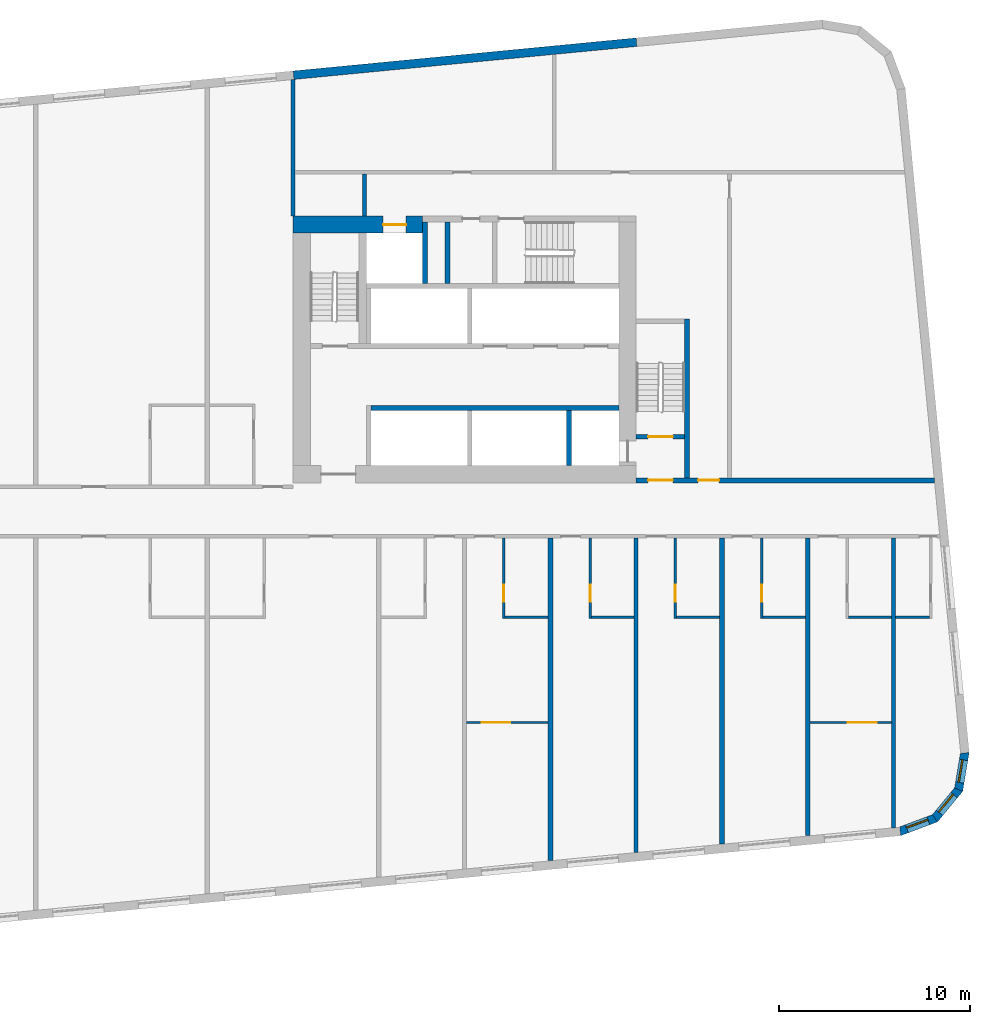
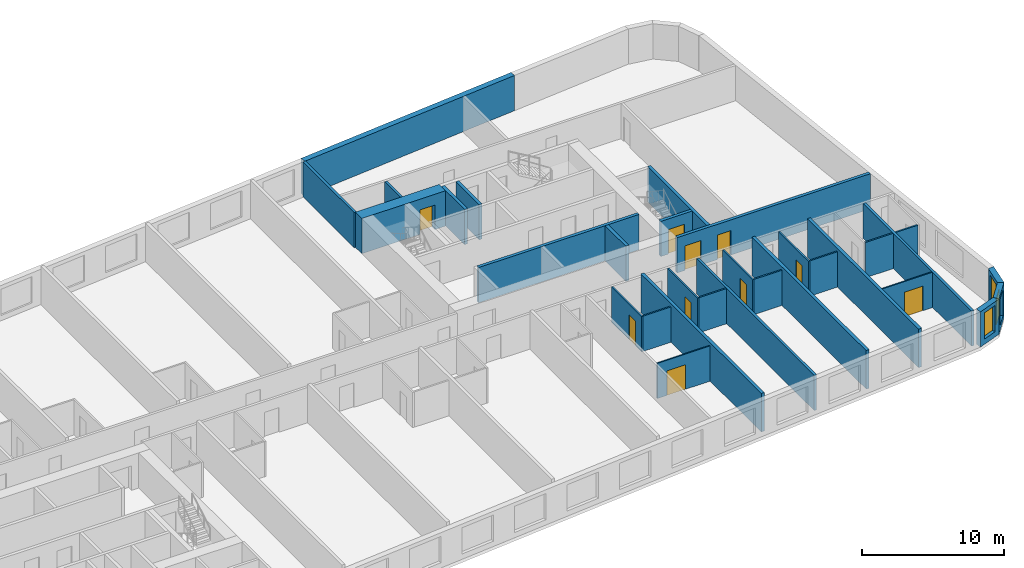
# One storey, part 7 of 12: 31 walls, 10 doors, 3 windows, 13 openings.
"""IFC4 building model written with IfcOpenShell, lengths in metres."""

from ifc_helpers import new_model, si_unit, direction, frame, frame_2d, origin, place, context, subcontext, project, spatial, polyline, rectangle, outline, extrude, material, layer, layer_set, type_object, element, fill, save


model = new_model("IFC4")

# Units and contexts
model_context = context("Model", 3, precision=1e-05, world=origin(), true_north=direction((0.0, 1.0)))
body_context = subcontext(model_context, "Body", "Model", "MODEL_VIEW")
ifc_project = project(units=[si_unit("LENGTHUNIT", "METRE"), si_unit("AREAUNIT", "SQUARE_METRE"), si_unit("VOLUMEUNIT", "CUBIC_METRE"), si_unit("PLANEANGLEUNIT", "RADIAN"), si_unit("MASSUNIT", "GRAM", prefix="KILO")], contexts=[model_context])

# Site, building, storey
site_placement = place(None, origin())
site = spatial("IfcSite", under=ifc_project, at=site_placement, CompositionType="ELEMENT")
building_placement = place(site_placement, origin())
building = spatial("IfcBuilding", under=site, at=building_placement, Name="Kajstack Hotel Tower", CompositionType="ELEMENT")
storey_placement = place(building_placement, frame((0.0, 0.0, 124.0)))
storey = spatial("IfcBuildingStorey", under=building, at=storey_placement, Name="L27", CompositionType="ELEMENT", Elevation=124.0)

# Wall, opening, door
ifc_material_1 = material(Name="Concrete C60/75", Category="concrete")
ifc_layer_1 = layer(ifc_material_1, 0.89990234375)
ifc_layer_set_1 = layer_set([ifc_layer_1], Name="Core wall 900")
wall_type_1 = type_object("IfcWallType", Name="Core wall 900", PredefinedType="SHEAR", material=ifc_layer_set_1)
wall_1_placement = place(storey_placement, frame((13.5, 15.050048828125, 0.0), z_axis=(0.0, 0.0, 1.0), x_axis=(1.0, 0.0, 0.0)))
wall_1 = element("IfcWall", 1, at=wall_1_placement, inside=storey, type_object=wall_type_1, Name="Core wall E RS", PredefinedType="SHEAR", context=body_context, shape_type="SweptSolid", body=[
    extrude(rectangle(XDim=6.800048828125, YDim=0.89990234375, at=frame_2d((3.39990234375, 0.0))), origin(), (0.0, 0.0, 1.0), 3.02001953125),
])
opening_1_placement = place(wall_1_placement, frame((4.72509765625, 0.0, 0.0)))
opening_1 = element("IfcOpeningElement", 2, at=opening_1_placement, cuts=wall_1, Name="Opening LD-SV2", PredefinedType="OPENING", context=body_context, shape_type="SweptSolid", body=[
    extrude(rectangle(XDim=1.199951171875, YDim=2.10009765625, at=frame_2d((0.60009765625, 1.050048828125))), frame((0.0, 0.4599609375, 0.0), z_axis=(0.0, -1.0, 0.0), x_axis=(1.0, 0.0, 0.0)), (0.0, 0.0, 1.0), 0.919921875),
])
ifc_material_2 = material(Name="Stainless steel", Category="steel")
door_type_1 = type_object("IfcDoorType", Name="Lift landing door 1200", OperationType="SLIDING_TO_LEFT", PredefinedType="DOOR", material=ifc_material_2)
door_1_placement = place(opening_1_placement, origin())
door_1 = element("IfcDoor", 3, at=door_1_placement, inside=storey, type_object=door_type_1, Name="Landing door SV2", OperationType="SLIDING_TO_LEFT", OverallHeight=2.10009765625, OverallWidth=1.199951171875, PredefinedType="DOOR", context=body_context, shape_type="SweptSolid", body=[
    extrude(rectangle(XDim=1.199951171875, YDim=2.10009765625, at=frame_2d((0.60009765625, 1.050048828125))), frame((0.0, 0.02490234375, 0.0), z_axis=(0.0, -1.0, 0.0), x_axis=(1.0, 0.0, 0.0)), (0.0, 0.0, 1.0), 0.050048828125),
])
fill(opening_1, door_1)

# Walls
ifc_material_3 = material(Name="Twin-frame gypsum board on steel studs, mineral wool", Category="steel")
ifc_layer_2 = layer(ifc_material_3, 0.199951171875)
ifc_layer_set_2 = layer_set([ifc_layer_2], Name="Demising wall 200")
wall_type_2 = type_object("IfcWallType", Name="Demising wall 200", PredefinedType="PARTITIONING", material=ifc_layer_set_2)
wall_2_placement = place(storey_placement, frame((13.5, 15.5, 0.0), z_axis=(0.0, 0.0, 1.0), x_axis=(0.0, 1.0, 0.0)))
element("IfcWall", 4, at=wall_2_placement, inside=storey, type_object=wall_type_2, Name="G-wall-L27-001", PredefinedType="PARTITIONING", context=body_context, shape_type="SweptSolid", body=[
    extrude(rectangle(XDim=7.162109375, YDim=0.199951171875, at=frame_2d((3.5810546875, 0.0))), origin(), (0.0, 0.0, 1.0), 3.02001953125),
])
wall_3_placement = place(storey_placement, frame((31.5, -17.89892578125, 0.0), z_axis=(0.0, 0.0, 1.0), x_axis=(0.0, 1.0, 0.0)))
element("IfcWall", 5, at=wall_3_placement, inside=storey, type_object=wall_type_2, Name="G-wall-L27-041", PredefinedType="PARTITIONING", context=body_context, shape_type="SweptSolid", body=[
    extrude(rectangle(XDim=16.4990234375, YDim=0.199951171875, at=frame_2d((8.24951171875, 0.0))), origin(), (0.0, 0.0, 1.0), 3.02001953125),
])
wall_4_placement = place(storey_placement, frame((45.0, -16.59912109375, 0.0), z_axis=(0.0, 0.0, 1.0), x_axis=(0.0, 1.0, 0.0)))
element("IfcWall", 6, at=wall_4_placement, inside=storey, type_object=wall_type_2, Name="G-wall-L27-048", PredefinedType="PARTITIONING", context=body_context, shape_type="SweptSolid", body=[
    extrude(rectangle(XDim=15.19921875, YDim=0.199951171875, at=frame_2d((7.599609375, 0.0))), origin(), (0.0, 0.0, 1.0), 3.02001953125),
])
ifc_material_4 = material(Name="Concrete C40/50", Category="concrete")
ifc_layer_3 = layer(ifc_material_4, 0.449951171875)
ifc_layer_set_3 = layer_set([ifc_layer_3], Name="EW-CORE")
wall_type_3 = type_object("IfcWallType", Name="EW-CORE", PredefinedType="SOLIDWALL", material=ifc_layer_set_3)
wall_5_placement = place(storey_placement, frame((31.521484375, 24.623291015625, 0.0), z_axis=(0.0, 0.0, 1.0), x_axis=(-0.995396454615, -0.095843091245, 0.0)))
element("IfcWall", 7, at=wall_5_placement, inside=storey, type_object=wall_type_3, Name="E-wall-L27-12-01", PredefinedType="SOLIDWALL", context=body_context, shape_type="SweptSolid", body=[
    extrude(rectangle(XDim=18.083251953125, YDim=0.449951171875, at=frame_2d((9.04150390625, 0.0))), origin(), (0.0, 0.0, 1.0), 3.02001953125),
])

# Wall, opening, window
ifc_material_5 = material(Name="Terracotta-faced brick masonry", Category="masonry")
ifc_layer_4 = layer(ifc_material_5, 0.449951171875)
ifc_layer_set_4 = layer_set([ifc_layer_4], Name="EW-TERRA")
wall_type_4 = type_object("IfcWallType", Name="EW-TERRA", PredefinedType="SOLIDWALL", material=ifc_layer_set_4)
wall_6_placement = place(storey_placement, frame((45.300048828125, -16.804443359375, 0.0), z_axis=(0.0, 0.0, 1.0), x_axis=(0.936677599948, 0.350192909346, 0.0)))
wall_6 = element("IfcWall", 8, at=wall_6_placement, inside=storey, type_object=wall_type_4, Name="E-wall-L27-05-00", PredefinedType="SOLIDWALL", context=body_context, shape_type="SweptSolid", body=[
    extrude(outline(polyline([(0.0, -0.224853515625), (2.070556640625, -0.224853515625), (1.949951171875, 0.22509765625), (0.12060546875, 0.22509765625), (0.0, -0.224853515625)])), origin(), (0.0, 0.0, 1.0), 3.02001953125),
])
opening_2_placement = place(wall_6_placement, frame((0.435302734375, 0.0, 0.449951171875)))
opening_2 = element("IfcOpeningElement", 9, at=opening_2_placement, cuts=wall_6, Name="Opening W3", PredefinedType="OPENING", context=body_context, shape_type="SweptSolid", body=[
    extrude(rectangle(XDim=1.199951171875, YDim=2.25, at=frame_2d((0.60009765625, 1.125))), frame((0.0, 0.23486328125, 0.0), z_axis=(0.0, -1.0, 0.0), x_axis=(1.0, 0.0, 0.0)), (0.0, 0.0, 1.0), 0.469970703125),
])
ifc_material_6 = material(Name="Timber-aluminium window, triple glazed", Category="wood")
window_type = type_object("IfcWindowType", Name="WG3", PartitioningType="SINGLE_PANEL", PredefinedType="WINDOW", material=ifc_material_6)
window_1_placement = place(opening_2_placement, origin())
window_1 = element("IfcWindow", 10, at=window_1_placement, inside=storey, type_object=window_type, Name="Window W3 L27-05", OverallHeight=2.25, OverallWidth=1.199951171875, PartitioningType="SINGLE_PANEL", PredefinedType="WINDOW", context=body_context, shape_type="SweptSolid", body=[
    extrude(rectangle(XDim=1.199951171875, YDim=2.25, at=frame_2d((0.60009765625, 1.125))), frame((0.0, 0.090087890625, 0.0), z_axis=(0.0, -1.0, 0.0), x_axis=(1.0, 0.0, 0.0)), (0.0, 0.0, 1.0), 0.06005859375),
])
fill(opening_2, window_1)

wall_7_placement = place(storey_placement, frame((47.144775390625, -16.14697265625, 0.0), z_axis=(0.0, 0.0, 1.0), x_axis=(0.635988241739, 0.771698747161, 0.0)))
wall_7 = element("IfcWall", 11, at=wall_7_placement, inside=storey, type_object=wall_type_4, Name="E-wall-L27-06-00", PredefinedType="SOLIDWALL", context=body_context, shape_type="SweptSolid", body=[
    extrude(outline(polyline([(0.0, -0.224853515625), (2.070556640625, -0.22509765625), (1.949951171875, 0.224853515625), (0.12060546875, 0.22509765625), (0.0, -0.224853515625)])), origin(), (0.0, 0.0, 1.0), 3.02001953125),
])
opening_3_placement = place(wall_7_placement, frame((0.435302734375, 0.0, 0.449951171875)))
opening_3 = element("IfcOpeningElement", 12, at=opening_3_placement, cuts=wall_7, Name="Opening W3", PredefinedType="OPENING", context=body_context, shape_type="SweptSolid", body=[
    extrude(rectangle(XDim=1.199951171875, YDim=2.25, at=frame_2d((0.60009765625, 1.125))), frame((0.0, 0.23486328125, 0.0), z_axis=(0.0, -1.0, 0.0), x_axis=(1.0, 0.0, 0.0)), (0.0, 0.0, 1.0), 0.469970703125),
])
window_2_placement = place(opening_3_placement, origin())
window_2 = element("IfcWindow", 13, at=window_2_placement, inside=storey, type_object=window_type, Name="Window W3 L27-06", OverallHeight=2.25, OverallWidth=1.199951171875, PartitioningType="SINGLE_PANEL", PredefinedType="WINDOW", context=body_context, shape_type="SweptSolid", body=[
    extrude(rectangle(XDim=1.199951171875, YDim=2.25, at=frame_2d((0.60009765625, 1.125))), frame((0.0, 0.090087890625, 0.0), z_axis=(0.0, -1.0, 0.0), x_axis=(1.0, 0.0, 0.0)), (0.0, 0.0, 1.0), 0.06005859375),
])
fill(opening_3, window_2)

wall_8_placement = place(storey_placement, frame((48.413330078125, -14.6552734375, 0.0), z_axis=(0.0, 0.0, 1.0), x_axis=(0.165068144653, 0.986282164302, 0.0)))
wall_8 = element("IfcWall", 14, at=wall_8_placement, inside=storey, type_object=wall_type_4, Name="E-wall-L27-07-00", PredefinedType="SOLIDWALL", context=body_context, shape_type="SweptSolid", body=[
    extrude(outline(polyline([(0.0, -0.22509765625), (2.07080078125, -0.224853515625), (1.9501953125, 0.22509765625), (0.12060546875, 0.224853515625), (0.0, -0.22509765625)])), origin(), (0.0, 0.0, 1.0), 3.02001953125),
])
opening_4_placement = place(wall_8_placement, frame((0.435302734375, 0.0, 0.449951171875)))
opening_4 = element("IfcOpeningElement", 15, at=opening_4_placement, cuts=wall_8, Name="Opening W3", PredefinedType="OPENING", context=body_context, shape_type="SweptSolid", body=[
    extrude(rectangle(XDim=1.199951171875, YDim=2.25, at=frame_2d((0.60009765625, 1.125))), frame((0.0, 0.23486328125, 0.0), z_axis=(0.0, -1.0, 0.0), x_axis=(1.0, 0.0, 0.0)), (0.0, 0.0, 1.0), 0.469970703125),
])
window_3_placement = place(opening_4_placement, origin())
window_3 = element("IfcWindow", 16, at=window_3_placement, inside=storey, type_object=window_type, Name="Window W3 L27-07", OverallHeight=2.25, OverallWidth=1.199951171875, PartitioningType="SINGLE_PANEL", PredefinedType="WINDOW", context=body_context, shape_type="SweptSolid", body=[
    extrude(rectangle(XDim=1.199951171875, YDim=2.25, at=frame_2d((0.60009765625, 1.125))), frame((0.0, 0.090087890625, 0.0), z_axis=(0.0, -1.0, 0.0), x_axis=(1.0, 0.0, 0.0)), (0.0, 0.0, 1.0), 0.06005859375),
])
fill(opening_4, window_3)

# Wall, opening, door
ifc_material_7 = material(Name="Gypsum board and tiled backer on steel studs", Category="steel")
ifc_layer_5 = layer(ifc_material_7, 0.125)
ifc_layer_set_5 = layer_set([ifc_layer_5], Name="En-suite wall 125")
wall_type_5 = type_object("IfcWallType", Name="En-suite wall 125", PredefinedType="PARTITIONING", material=ifc_layer_set_5)
wall_9_placement = place(storey_placement, frame((24.56201171875, -5.625, 0.0), z_axis=(0.0, 0.0, 1.0), x_axis=(0.0, 1.0, 0.0)))
wall_9 = element("IfcWall", 17, at=wall_9_placement, inside=storey, type_object=wall_type_5, Name="G-wall-L27-038", PredefinedType="PARTITIONING", context=body_context, shape_type="SweptSolid", body=[
    extrude(rectangle(XDim=4.22509765625, YDim=0.125, at=frame_2d((2.112548828125, 0.0))), origin(), (0.0, 0.0, 1.0), 3.02001953125),
])
opening_5_placement = place(wall_9_placement, frame((0.875, 0.0, 0.0)))
opening_5 = element("IfcOpeningElement", 18, at=opening_5_placement, cuts=wall_9, Name="Opening 27032", PredefinedType="OPENING", context=body_context, shape_type="SweptSolid", body=[
    extrude(rectangle(XDim=0.89990234375, YDim=2.10009765625, at=frame_2d((0.449951171875, 1.050048828125))), frame((0.0, 0.072509765625, 0.0), z_axis=(0.0, -1.0, 0.0), x_axis=(1.0, 0.0, 0.0)), (0.0, 0.0, 1.0), 0.14501953125),
])
ifc_material_8 = material(Name="Painted timber door leaf", Category="wood")
door_type_2 = type_object("IfcDoorType", Name="Room door 900", OperationType="SINGLE_SWING_LEFT", PredefinedType="DOOR", material=ifc_material_8)
door_2_placement = place(opening_5_placement, origin())
door_2 = element("IfcDoor", 19, at=door_2_placement, inside=storey, type_object=door_type_2, Name="G-door-L27-32", OperationType="SINGLE_SWING_LEFT", OverallHeight=2.10009765625, OverallWidth=0.89990234375, PredefinedType="DOOR", context=body_context, shape_type="SweptSolid", body=[
    extrude(rectangle(XDim=0.89990234375, YDim=2.10009765625, at=frame_2d((0.449951171875, 1.050048828125))), frame((0.0, 0.02490234375, 0.0), z_axis=(0.0, -1.0, 0.0), x_axis=(1.0, 0.0, 0.0)), (0.0, 0.0, 1.0), 0.050048828125),
])
fill(opening_5, door_2)

# Wall
wall_10_placement = place(storey_placement, frame((24.625, -5.56201171875, 0.0), z_axis=(0.0, 0.0, 1.0), x_axis=(1.0, 0.0, 0.0)))
element("IfcWall", 20, at=wall_10_placement, inside=storey, type_object=wall_type_5, Name="G-wall-L27-039", PredefinedType="PARTITIONING", context=body_context, shape_type="SweptSolid", body=[
    extrude(rectangle(XDim=2.25, YDim=0.125, at=frame_2d((1.125, 0.0))), origin(), (0.0, 0.0, 1.0), 3.02001953125),
])

# Wall, opening, door
wall_11_placement = place(storey_placement, frame((29.0869140625, -5.625, 0.0), z_axis=(0.0, 0.0, 1.0), x_axis=(0.0, 1.0, 0.0)))
wall_11 = element("IfcWall", 21, at=wall_11_placement, inside=storey, type_object=wall_type_5, Name="G-wall-L27-042", PredefinedType="PARTITIONING", context=body_context, shape_type="SweptSolid", body=[
    extrude(rectangle(XDim=4.22509765625, YDim=0.125, at=frame_2d((2.112548828125, 0.0))), origin(), (0.0, 0.0, 1.0), 3.02001953125),
])
opening_6_placement = place(wall_11_placement, frame((0.875, 0.0, 0.0)))
opening_6 = element("IfcOpeningElement", 22, at=opening_6_placement, cuts=wall_11, Name="Opening 27035", PredefinedType="OPENING", context=body_context, shape_type="SweptSolid", body=[
    extrude(rectangle(XDim=0.89990234375, YDim=2.10009765625, at=frame_2d((0.449951171875, 1.050048828125))), frame((0.0, 0.072509765625, 0.0), z_axis=(0.0, -1.0, 0.0), x_axis=(1.0, 0.0, 0.0)), (0.0, 0.0, 1.0), 0.14501953125),
])
door_3_placement = place(opening_6_placement, origin())
door_3 = element("IfcDoor", 23, at=door_3_placement, inside=storey, type_object=door_type_2, Name="G-door-L27-35", OperationType="SINGLE_SWING_LEFT", OverallHeight=2.10009765625, OverallWidth=0.89990234375, PredefinedType="DOOR", context=body_context, shape_type="SweptSolid", body=[
    extrude(rectangle(XDim=0.89990234375, YDim=2.10009765625, at=frame_2d((0.449951171875, 1.050048828125))), frame((0.0, 0.02490234375, 0.0), z_axis=(0.0, -1.0, 0.0), x_axis=(1.0, 0.0, 0.0)), (0.0, 0.0, 1.0), 0.050048828125),
])
fill(opening_6, door_3)

# Wall
wall_12_placement = place(storey_placement, frame((29.14990234375, -5.56201171875, 0.0), z_axis=(0.0, 0.0, 1.0), x_axis=(1.0, 0.0, 0.0)))
element("IfcWall", 24, at=wall_12_placement, inside=storey, type_object=wall_type_5, Name="G-wall-L27-043", PredefinedType="PARTITIONING", context=body_context, shape_type="SweptSolid", body=[
    extrude(rectangle(XDim=2.25, YDim=0.125, at=frame_2d((1.125, 0.0))), origin(), (0.0, 0.0, 1.0), 3.02001953125),
])

# Wall, opening, door
wall_13_placement = place(storey_placement, frame((33.56201171875, -5.625, 0.0), z_axis=(0.0, 0.0, 1.0), x_axis=(0.0, 1.0, 0.0)))
wall_13 = element("IfcWall", 25, at=wall_13_placement, inside=storey, type_object=wall_type_5, Name="G-wall-L27-044", PredefinedType="PARTITIONING", context=body_context, shape_type="SweptSolid", body=[
    extrude(rectangle(XDim=4.22509765625, YDim=0.125, at=frame_2d((2.112548828125, 0.0))), origin(), (0.0, 0.0, 1.0), 3.02001953125),
])
opening_7_placement = place(wall_13_placement, frame((0.875, 0.0, 0.0)))
opening_7 = element("IfcOpeningElement", 26, at=opening_7_placement, cuts=wall_13, Name="Opening 27037", PredefinedType="OPENING", context=body_context, shape_type="SweptSolid", body=[
    extrude(rectangle(XDim=0.89990234375, YDim=2.10009765625, at=frame_2d((0.449951171875, 1.050048828125))), frame((0.0, 0.072509765625, 0.0), z_axis=(0.0, -1.0, 0.0), x_axis=(1.0, 0.0, 0.0)), (0.0, 0.0, 1.0), 0.14501953125),
])
door_4_placement = place(opening_7_placement, origin())
door_4 = element("IfcDoor", 27, at=door_4_placement, inside=storey, type_object=door_type_2, Name="G-door-L27-37", OperationType="SINGLE_SWING_LEFT", OverallHeight=2.10009765625, OverallWidth=0.89990234375, PredefinedType="DOOR", context=body_context, shape_type="SweptSolid", body=[
    extrude(rectangle(XDim=0.89990234375, YDim=2.10009765625, at=frame_2d((0.449951171875, 1.050048828125))), frame((0.0, 0.02490234375, 0.0), z_axis=(0.0, -1.0, 0.0), x_axis=(1.0, 0.0, 0.0)), (0.0, 0.0, 1.0), 0.050048828125),
])
fill(opening_7, door_4)

# Wall
wall_14_placement = place(storey_placement, frame((33.625, -5.56201171875, 0.0), z_axis=(0.0, 0.0, 1.0), x_axis=(1.0, 0.0, 0.0)))
element("IfcWall", 28, at=wall_14_placement, inside=storey, type_object=wall_type_5, Name="G-wall-L27-045", PredefinedType="PARTITIONING", context=body_context, shape_type="SweptSolid", body=[
    extrude(rectangle(XDim=2.25, YDim=0.125, at=frame_2d((1.125, 0.0))), origin(), (0.0, 0.0, 1.0), 3.02001953125),
])

# Wall, opening, door
wall_15_placement = place(storey_placement, frame((38.0869140625, -5.625, 0.0), z_axis=(0.0, 0.0, 1.0), x_axis=(0.0, 1.0, 0.0)))
wall_15 = element("IfcWall", 29, at=wall_15_placement, inside=storey, type_object=wall_type_5, Name="G-wall-L27-046", PredefinedType="PARTITIONING", context=body_context, shape_type="SweptSolid", body=[
    extrude(rectangle(XDim=4.22509765625, YDim=0.125, at=frame_2d((2.112548828125, 0.0))), origin(), (0.0, 0.0, 1.0), 3.02001953125),
])
opening_8_placement = place(wall_15_placement, frame((0.875, 0.0, 0.0)))
opening_8 = element("IfcOpeningElement", 30, at=opening_8_placement, cuts=wall_15, Name="Opening 27039", PredefinedType="OPENING", context=body_context, shape_type="SweptSolid", body=[
    extrude(rectangle(XDim=0.89990234375, YDim=2.10009765625, at=frame_2d((0.449951171875, 1.050048828125))), frame((0.0, 0.072509765625, 0.0), z_axis=(0.0, -1.0, 0.0), x_axis=(1.0, 0.0, 0.0)), (0.0, 0.0, 1.0), 0.14501953125),
])
door_5_placement = place(opening_8_placement, origin())
door_5 = element("IfcDoor", 31, at=door_5_placement, inside=storey, type_object=door_type_2, Name="G-door-L27-39", OperationType="SINGLE_SWING_LEFT", OverallHeight=2.10009765625, OverallWidth=0.89990234375, PredefinedType="DOOR", context=body_context, shape_type="SweptSolid", body=[
    extrude(rectangle(XDim=0.89990234375, YDim=2.10009765625, at=frame_2d((0.449951171875, 1.050048828125))), frame((0.0, 0.02490234375, 0.0), z_axis=(0.0, -1.0, 0.0), x_axis=(1.0, 0.0, 0.0)), (0.0, 0.0, 1.0), 0.050048828125),
])
fill(opening_8, door_5)

# Walls
wall_16_placement = place(storey_placement, frame((38.14990234375, -5.56201171875, 0.0), z_axis=(0.0, 0.0, 1.0), x_axis=(1.0, 0.0, 0.0)))
element("IfcWall", 32, at=wall_16_placement, inside=storey, type_object=wall_type_5, Name="G-wall-L27-047", PredefinedType="PARTITIONING", context=body_context, shape_type="SweptSolid", body=[
    extrude(rectangle(XDim=2.22509765625, YDim=0.125, at=frame_2d((1.112548828125, 0.0))), origin(), (0.0, 0.0, 1.0), 3.02001953125),
])
wall_17_placement = place(storey_placement, frame((42.64990234375, -5.56201171875, 0.0), z_axis=(0.0, 0.0, 1.0), x_axis=(1.0, 0.0, 0.0)))
element("IfcWall", 33, at=wall_17_placement, inside=storey, type_object=wall_type_5, Name="G-wall-L27-050", PredefinedType="PARTITIONING", context=body_context, shape_type="SweptSolid", body=[
    extrude(rectangle(XDim=2.25, YDim=0.125, at=frame_2d((1.125, 0.0))), origin(), (0.0, 0.0, 1.0), 3.02001953125),
])
wall_18_placement = place(storey_placement, frame((45.10009765625, -5.56201171875, 0.0), z_axis=(0.0, 0.0, 1.0), x_axis=(1.0, 0.0, 0.0)))
element("IfcWall", 34, at=wall_18_placement, inside=storey, type_object=wall_type_5, Name="G-wall-L27-053", PredefinedType="PARTITIONING", context=body_context, shape_type="SweptSolid", body=[
    extrude(rectangle(XDim=1.7998046875, YDim=0.125, at=frame_2d((0.89990234375, 0.0))), origin(), (0.0, 0.0, 1.0), 3.02001953125),
])

# Wall, opening, door
ifc_material_9 = material(Name="Gypsum board on steel studs", Category="steel")
ifc_layer_6 = layer(ifc_material_9, 0.10009765625)
ifc_layer_set_6 = layer_set([ifc_layer_6], Name="Partition 100")
wall_type_6 = type_object("IfcWallType", Name="Partition 100", PredefinedType="PARTITIONING", material=ifc_layer_set_6)
wall_19_placement = place(storey_placement, frame((22.60009765625, -11.074951171875, 0.0), z_axis=(0.0, 0.0, 1.0), x_axis=(1.0, 0.0, 0.0)))
wall_19 = element("IfcWall", 35, at=wall_19_placement, inside=storey, type_object=wall_type_6, Name="G-wall-L27-040", PredefinedType="PARTITIONING", context=body_context, shape_type="SweptSolid", body=[
    extrude(rectangle(XDim=4.27490234375, YDim=0.10009765625, at=frame_2d((2.137451171875, 0.0))), origin(), (0.0, 0.0, 1.0), 3.02001953125),
])
opening_9_placement = place(wall_19_placement, frame((0.787109375, 0.0, 0.0)))
opening_9 = element("IfcOpeningElement", 36, at=opening_9_placement, cuts=wall_19, Name="Opening 27033", PredefinedType="OPENING", context=body_context, shape_type="SweptSolid", body=[
    extrude(rectangle(XDim=1.5, YDim=2.10009765625, at=frame_2d((0.75, 1.050048828125))), frame((0.0, 0.06005859375, 0.0), z_axis=(0.0, -1.0, 0.0), x_axis=(1.0, 0.0, 0.0)), (0.0, 0.0, 1.0), 0.1201171875),
])
ifc_material_10 = material(Name="Painted timber door leaves, glazed panels", Category="wood")
door_type_3 = type_object("IfcDoorType", Name="Double door 1500", OperationType="SINGLE_SWING_LEFT", PredefinedType="DOOR", material=ifc_material_10)
door_6_placement = place(opening_9_placement, origin())
door_6 = element("IfcDoor", 37, at=door_6_placement, inside=storey, type_object=door_type_3, Name="G-door-L27-33", OperationType="SINGLE_SWING_RIGHT", OverallHeight=2.10009765625, OverallWidth=1.5, PredefinedType="DOOR", context=body_context, shape_type="SweptSolid", body=[
    extrude(rectangle(XDim=1.5, YDim=2.10009765625, at=frame_2d((0.75, 1.050048828125))), frame((0.0, 0.02490234375, 0.0), z_axis=(0.0, -1.0, 0.0), x_axis=(1.0, 0.0, 0.0)), (0.0, 0.0, 1.0), 0.050048828125),
])
fill(opening_9, door_6)

wall_20_placement = place(storey_placement, frame((40.625, -11.074951171875, 0.0), z_axis=(0.0, 0.0, 1.0), x_axis=(1.0, 0.0, 0.0)))
wall_20 = element("IfcWall", 38, at=wall_20_placement, inside=storey, type_object=wall_type_6, Name="G-wall-L27-051", PredefinedType="PARTITIONING", context=body_context, shape_type="SweptSolid", body=[
    extrude(rectangle(XDim=4.27490234375, YDim=0.10009765625, at=frame_2d((2.137451171875, 0.0))), origin(), (0.0, 0.0, 1.0), 3.02001953125),
])
opening_10_placement = place(wall_20_placement, frame((1.988037109375, 0.0, 0.0)))
opening_10 = element("IfcOpeningElement", 39, at=opening_10_placement, cuts=wall_20, Name="Opening 27042", PredefinedType="OPENING", context=body_context, shape_type="SweptSolid", body=[
    extrude(rectangle(XDim=1.5, YDim=2.10009765625, at=frame_2d((0.75, 1.050048828125))), frame((0.0, 0.06005859375, 0.0), z_axis=(0.0, -1.0, 0.0), x_axis=(1.0, 0.0, 0.0)), (0.0, 0.0, 1.0), 0.1201171875),
])
door_7_placement = place(opening_10_placement, origin())
door_7 = element("IfcDoor", 40, at=door_7_placement, inside=storey, type_object=door_type_3, Name="G-door-L27-42", OperationType="SINGLE_SWING_LEFT", OverallHeight=2.10009765625, OverallWidth=1.5, PredefinedType="DOOR", context=body_context, shape_type="SweptSolid", body=[
    extrude(rectangle(XDim=1.5, YDim=2.10009765625, at=frame_2d((0.75, 1.050048828125))), frame((0.0, 0.02490234375, 0.0), z_axis=(0.0, -1.0, 0.0), x_axis=(1.0, 0.0, 0.0)), (0.0, 0.0, 1.0), 0.050048828125),
])
fill(opening_10, door_7)

# Walls
ifc_material_11 = material(Name="Concrete C55/67", Category="concrete")
ifc_layer_7 = layer(ifc_material_11, 0.25)
ifc_layer_set_7 = layer_set([ifc_layer_7], Name="RC cross wall 250 C55/67")
wall_type_7 = type_object("IfcWallType", Name="RC cross wall 250 C55/67", PredefinedType="SHEAR", material=ifc_layer_set_7)
wall_21_placement = place(storey_placement, frame((27.0, -18.310546875, 0.0), z_axis=(0.0, 0.0, 1.0), x_axis=(0.0, 1.0, 0.0)))
element("IfcWall", 41, at=wall_21_placement, inside=storey, type_object=wall_type_7, Name="S-wall-L27-11", PredefinedType="SHEAR", context=body_context, shape_type="SweptSolid", body=[
    extrude(rectangle(XDim=16.91064453125, YDim=0.25, at=frame_2d((8.455322265625, 0.0))), origin(), (0.0, 0.0, 1.0), 3.300048828125),
])
wall_22_placement = place(storey_placement, frame((36.0, -17.444091796875, 0.0), z_axis=(0.0, 0.0, 1.0), x_axis=(0.0, 1.0, 0.0)))
element("IfcWall", 42, at=wall_22_placement, inside=storey, type_object=wall_type_7, Name="S-wall-L27-12", PredefinedType="SHEAR", context=body_context, shape_type="SweptSolid", body=[
    extrude(rectangle(XDim=16.044189453125, YDim=0.25, at=frame_2d((8.02197265625, 0.0))), origin(), (0.0, 0.0, 1.0), 3.300048828125),
])
wall_23_placement = place(storey_placement, frame((40.5, -17.0107421875, 0.0), z_axis=(0.0, 0.0, 1.0), x_axis=(0.0, 1.0, 0.0)))
element("IfcWall", 43, at=wall_23_placement, inside=storey, type_object=wall_type_7, Name="S-wall-L27-13", PredefinedType="SHEAR", context=body_context, shape_type="SweptSolid", body=[
    extrude(rectangle(XDim=15.61083984375, YDim=0.25, at=frame_2d((7.805419921875, 0.0))), origin(), (0.0, 0.0, 1.0), 3.300048828125),
])
ifc_material_12 = material(Name="Concrete block masonry", Category="masonry")
ifc_layer_8 = layer(ifc_material_12, 0.25)
ifc_layer_set_8 = layer_set([ifc_layer_8], Name="Riser partition 250")
wall_type_8 = type_object("IfcWallType", Name="Riser partition 250", PredefinedType="PARTITIONING", material=ifc_layer_set_8)
wall_24_placement = place(storey_placement, frame((21.60009765625, 11.949951171875, 0.0), z_axis=(0.0, 0.0, 1.0), x_axis=(0.0, 1.0, 0.0)))
element("IfcWall", 44, at=wall_24_placement, inside=storey, type_object=wall_type_8, Name="Partition E SZ0", PredefinedType="PARTITIONING", context=body_context, shape_type="SweptSolid", body=[
    extrude(rectangle(XDim=3.25, YDim=0.25, at=frame_2d((1.625, 0.0))), origin(), (0.0, 0.0, 1.0), 3.02001953125),
])

# Wall, openings, doors
ifc_material_13 = material(Name="Gypsum board on steel studs, mineral wool", Category="steel")
ifc_layer_9 = layer(ifc_material_13, 0.199951171875)
ifc_layer_set_9 = layer_set([ifc_layer_9], Name="Service partition 200")
wall_type_9 = type_object("IfcWallType", Name="Service partition 200", PredefinedType="PARTITIONING", material=ifc_layer_set_9)
wall_25_placement = place(storey_placement, frame((31.5, 1.625, 0.0), z_axis=(0.0, 0.0, 1.0), x_axis=(1.0, 0.0, 0.0)))
wall_25 = element("IfcWall", 45, at=wall_25_placement, inside=storey, type_object=wall_type_9, Name="Partition E SN", PredefinedType="PARTITIONING", context=body_context, shape_type="SweptSolid", body=[
    extrude(rectangle(XDim=15.650390625, YDim=0.25, at=frame_2d((7.8251953125, 0.0))), origin(), (0.0, 0.0, 1.0), 3.02001953125),
])
opening_11_placement = place(wall_25_placement, frame((0.625, 0.0, 0.0)))
opening_11 = element("IfcOpeningElement", 46, at=opening_11_placement, cuts=wall_25, Name="Opening 27E07", PredefinedType="OPENING", context=body_context, shape_type="SweptSolid", body=[
    extrude(rectangle(XDim=1.300048828125, YDim=2.10009765625, at=frame_2d((0.64990234375, 1.050048828125))), frame((0.0, 0.135009765625, 0.0), z_axis=(0.0, -1.0, 0.0), x_axis=(1.0, 0.0, 0.0)), (0.0, 0.0, 1.0), 0.27001953125),
])
opening_12_placement = place(wall_25_placement, frame((3.25, 0.0, 0.0)))
opening_12 = element("IfcOpeningElement", 47, at=opening_12_placement, cuts=wall_25, Name="Opening 27E09", PredefinedType="OPENING", context=body_context, shape_type="SweptSolid", body=[
    extrude(rectangle(XDim=1.10009765625, YDim=2.10009765625, at=frame_2d((0.550048828125, 1.050048828125))), frame((0.0, 0.135009765625, 0.0), z_axis=(0.0, -1.0, 0.0), x_axis=(1.0, 0.0, 0.0)), (0.0, 0.0, 1.0), 0.27001953125),
])
ifc_material_14 = material(Name="Steel leaf, fire-rated", Category="steel")
door_type_4 = type_object("IfcDoorType", Name="Fire lobby door 1300", OperationType="SINGLE_SWING_LEFT", PredefinedType="DOOR", material=ifc_material_14)
door_8_placement = place(opening_11_placement, origin())
door_8 = element("IfcDoor", 48, at=door_8_placement, inside=storey, type_object=door_type_4, Name="Door 27E07", OperationType="SINGLE_SWING_LEFT", OverallHeight=2.10009765625, OverallWidth=1.300048828125, PredefinedType="DOOR", context=body_context, shape_type="SweptSolid", body=[
    extrude(rectangle(XDim=1.300048828125, YDim=2.10009765625, at=frame_2d((0.64990234375, 1.050048828125))), frame((0.0, 0.02490234375, 0.0), z_axis=(0.0, -1.0, 0.0), x_axis=(1.0, 0.0, 0.0)), (0.0, 0.0, 1.0), 0.050048828125),
])
fill(opening_11, door_8)
ifc_material_15 = material(Name="Timber leaf, fire-rated", Category="wood")
door_type_5 = type_object("IfcDoorType", Name="Service corridor door 1100", OperationType="SINGLE_SWING_LEFT", PredefinedType="DOOR", material=ifc_material_15)
door_9_placement = place(opening_12_placement, origin())
door_9 = element("IfcDoor", 49, at=door_9_placement, inside=storey, type_object=door_type_5, Name="Door 27E09", OperationType="SINGLE_SWING_LEFT", OverallHeight=2.10009765625, OverallWidth=1.10009765625, PredefinedType="DOOR", context=body_context, shape_type="SweptSolid", body=[
    extrude(rectangle(XDim=1.10009765625, YDim=2.10009765625, at=frame_2d((0.550048828125, 1.050048828125))), frame((0.0, 0.02490234375, 0.0), z_axis=(0.0, -1.0, 0.0), x_axis=(1.0, 0.0, 0.0)), (0.0, 0.0, 1.0), 0.050048828125),
])
fill(opening_12, door_9)

# Walls
wall_26_placement = place(storey_placement, frame((17.25, 15.5, 0.0), z_axis=(0.0, 0.0, 1.0), x_axis=(0.0, 1.0, 0.0)))
element("IfcWall", 50, at=wall_26_placement, inside=storey, type_object=wall_type_9, Name="Partition E SCE", PredefinedType="PARTITIONING", context=body_context, shape_type="SweptSolid", body=[
    extrude(rectangle(XDim=2.199951171875, YDim=0.199951171875, at=frame_2d((1.10009765625, 0.0))), origin(), (0.0, 0.0, 1.0), 3.02001953125),
])
ifc_material_16 = material(Name="Concrete C50/60", Category="concrete")
ifc_layer_10 = layer(ifc_material_16, 0.25)
ifc_layer_set_10 = layer_set([ifc_layer_10], Name="Shaft wall 250")
wall_type_10 = type_object("IfcWallType", Name="Shaft wall 250", PredefinedType="SHEAR", material=ifc_layer_set_10)
wall_27_placement = place(storey_placement, frame((17.60009765625, 5.425048828125, 0.0), z_axis=(0.0, 0.0, 1.0), x_axis=(1.0, 0.0, 0.0)))
element("IfcWall", 51, at=wall_27_placement, inside=storey, type_object=wall_type_10, Name="Core wall E FA", PredefinedType="SHEAR", context=body_context, shape_type="SweptSolid", body=[
    extrude(rectangle(XDim=13.0, YDim=0.25, at=frame_2d((6.5, 0.0))), origin(), (0.0, 0.0, 1.0), 3.02001953125),
])
wall_28_placement = place(storey_placement, frame((27.97509765625, 2.39990234375, 0.0), z_axis=(0.0, 0.0, 1.0), x_axis=(0.0, 1.0, 0.0)))
element("IfcWall", 52, at=wall_28_placement, inside=storey, type_object=wall_type_10, Name="Core wall E AP0", PredefinedType="SHEAR", context=body_context, shape_type="SweptSolid", body=[
    extrude(rectangle(XDim=2.900146484375, YDim=0.25, at=frame_2d((1.4501953125, 0.0))), origin(), (0.0, 0.0, 1.0), 3.02001953125),
])
wall_29_placement = place(storey_placement, frame((20.425048828125, 11.949951171875, 0.0), z_axis=(0.0, 0.0, 1.0), x_axis=(0.0, 1.0, 0.0)))
element("IfcWall", 53, at=wall_29_placement, inside=storey, type_object=wall_type_10, Name="Core wall E SVW", PredefinedType="SHEAR", context=body_context, shape_type="SweptSolid", body=[
    extrude(rectangle(XDim=3.25, YDim=0.25, at=frame_2d((1.625, 0.0))), origin(), (0.0, 0.0, 1.0), 3.02001953125),
])

# Wall, opening, door
ifc_layer_11 = layer(ifc_material_4, 0.25)
ifc_layer_set_11 = layer_set([ifc_layer_11], Name="Stair enclosure wall 250")
wall_type_11 = type_object("IfcWallType", Name="Stair enclosure wall 250", PredefinedType="SHEAR", material=ifc_layer_set_11)
wall_30_placement = place(storey_placement, frame((31.5, 3.925048828125, 0.0), z_axis=(0.0, 0.0, 1.0), x_axis=(1.0, 0.0, 0.0)))
wall_30 = element("IfcWall", 54, at=wall_30_placement, inside=storey, type_object=wall_type_11, Name="Core wall E W1N", PredefinedType="SHEAR", context=body_context, shape_type="SweptSolid", body=[
    extrude(rectangle(XDim=2.550048828125, YDim=0.25, at=frame_2d((1.27490234375, 0.0))), origin(), (0.0, 0.0, 1.0), 3.02001953125),
])
opening_13_placement = place(wall_30_placement, frame((0.625, 0.0, 0.0)))
opening_13 = element("IfcOpeningElement", 55, at=opening_13_placement, cuts=wall_30, Name="Opening 27E08", PredefinedType="OPENING", context=body_context, shape_type="SweptSolid", body=[
    extrude(rectangle(XDim=1.300048828125, YDim=2.10009765625, at=frame_2d((0.64990234375, 1.050048828125))), frame((0.0, 0.135009765625, 0.0), z_axis=(0.0, -1.0, 0.0), x_axis=(1.0, 0.0, 0.0)), (0.0, 0.0, 1.0), 0.27001953125),
])
door_type_6 = type_object("IfcDoorType", Name="Stair door 1300", OperationType="SINGLE_SWING_LEFT", PredefinedType="DOOR", material=ifc_material_14)
door_10_placement = place(opening_13_placement, origin())
door_10 = element("IfcDoor", 56, at=door_10_placement, inside=storey, type_object=door_type_6, Name="Door 27E08", OperationType="SINGLE_SWING_LEFT", OverallHeight=2.10009765625, OverallWidth=1.300048828125, PredefinedType="DOOR", context=body_context, shape_type="SweptSolid", body=[
    extrude(rectangle(XDim=1.300048828125, YDim=2.10009765625, at=frame_2d((0.64990234375, 1.050048828125))), frame((0.0, 0.02490234375, 0.0), z_axis=(0.0, -1.0, 0.0), x_axis=(1.0, 0.0, 0.0)), (0.0, 0.0, 1.0), 0.050048828125),
])
fill(opening_13, door_10)

# Wall
wall_31_placement = place(storey_placement, frame((34.175048828125, 1.75, 0.0), z_axis=(0.0, 0.0, 1.0), x_axis=(0.0, 1.0, 0.0)))
element("IfcWall", 57, at=wall_31_placement, inside=storey, type_object=wall_type_11, Name="Core wall E W1W", PredefinedType="SHEAR", context=body_context, shape_type="SweptSolid", body=[
    extrude(rectangle(XDim=8.35009765625, YDim=0.25, at=frame_2d((4.175048828125, 0.0))), origin(), (0.0, 0.0, 1.0), 3.02001953125),
])

save(model, "model.ifc")
